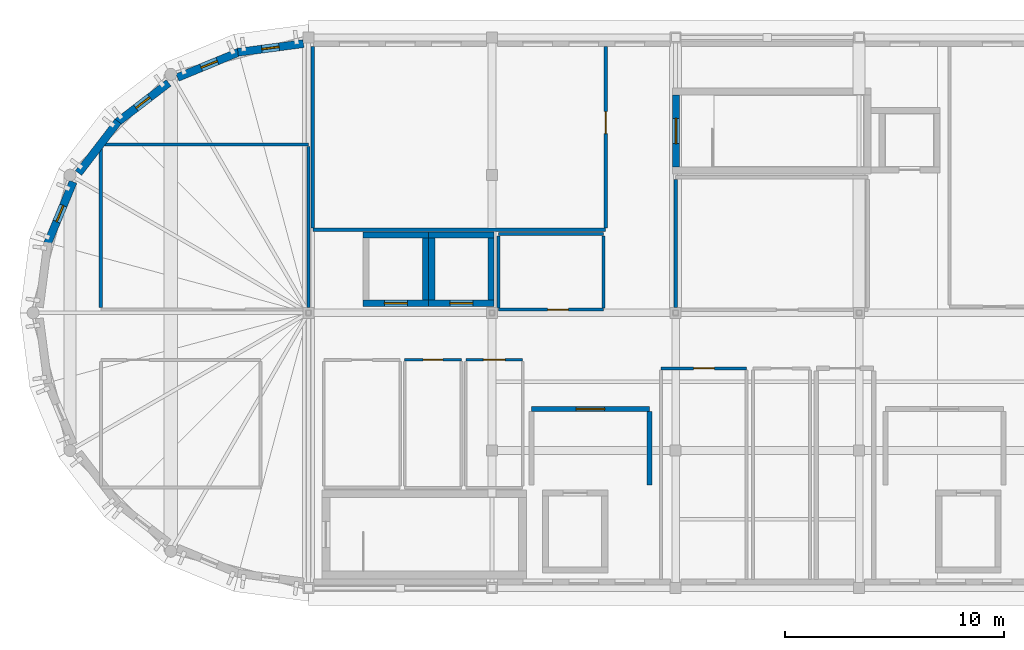
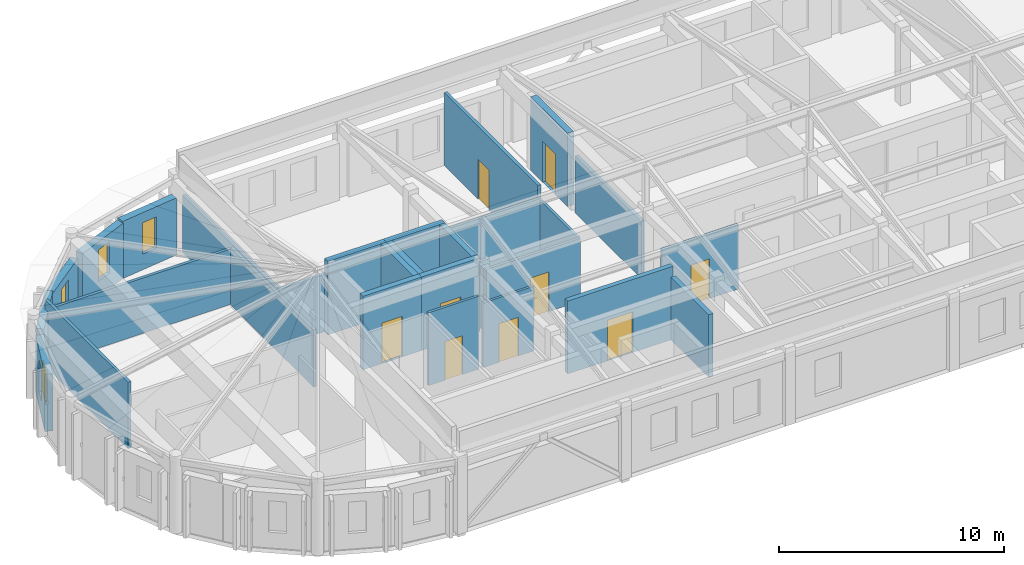
# One storey, part 7 of 11: 29 walls, 9 doors, 4 windows, 13 openings.
"""IFC4 building model written with IfcOpenShell, lengths in metres."""

from ifc_helpers import new_model, si_unit, direction, frame, frame_2d, origin, place, context, subcontext, project, spatial, rectangle, extrude, material, layer, layer_set, type_object, element, fill, save


model = new_model("IFC4")

# Units and contexts
model_context = context("Model", 3, precision=1e-05, world=origin(), true_north=direction((0.0, 1.0)))
body_context = subcontext(model_context, "Body", "Model", "MODEL_VIEW")
ifc_project = project(units=[si_unit("LENGTHUNIT", "METRE"), si_unit("AREAUNIT", "SQUARE_METRE"), si_unit("VOLUMEUNIT", "CUBIC_METRE"), si_unit("PLANEANGLEUNIT", "RADIAN"), si_unit("MASSUNIT", "GRAM", prefix="KILO")], contexts=[model_context])

# Site, building, storey
site_placement = place(None, origin())
site = spatial("IfcSite", under=ifc_project, at=site_placement, CompositionType="ELEMENT")
building_placement = place(site_placement, origin())
building = spatial("IfcBuilding", under=site, at=building_placement, Name="Tarnavel Promenade Courthouse", CompositionType="ELEMENT")
storey_placement = place(building_placement, frame((0.0, 0.0, 35.39990234375)))
storey = spatial("IfcBuildingStorey", under=building, at=storey_placement, Name="L09", CompositionType="ELEMENT", Elevation=35.39990234375)

# Walls
ifc_material_1 = material(Name="Acoustic Insulated Gypsum Stud Partition", Category="gypsum")
ifc_layer_1 = layer(ifc_material_1, 0.1650390625)
ifc_layer_set_1 = layer_set([ifc_layer_1], Name="Acoustic Insulated Gypsum Stud Partition")
wall_type_1 = type_object("IfcWallType", Name="Acoustic Insulated Gypsum Stud Partition WL-CHM-165 (165 mm)", PredefinedType="PARTITIONING", material=ifc_layer_set_1)
wall_1_placement = place(storey_placement, frame((72.39990234375, 95.60009765625, 0.0), z_axis=(0.0, 0.0, 1.0), x_axis=(-1.0, 0.0, 0.0)))
element("IfcWall", 1, at=wall_1_placement, inside=storey, type_object=wall_type_1, Name="L09 Supreme Plenary Deliberation Room Partition 1019", PredefinedType="PARTITIONING", context=body_context, shape_type="SweptSolid", body=[
    extrude(rectangle(XDim=13.39990234375, YDim=0.1650390625, at=frame_2d((6.699951171875, 0.0))), origin(), (0.0, 0.0, 1.0), 3.09521484375),
])
wall_2_placement = place(storey_placement, frame((59.0, 95.6923828125, 0.0), z_axis=(0.0, 0.0, 1.0), x_axis=(0.0, 1.0, 0.0)))
element("IfcWall", 2, at=wall_2_placement, inside=storey, type_object=wall_type_1, Name="L09 Supreme Plenary Deliberation Room Partition 1020", PredefinedType="PARTITIONING", context=body_context, shape_type="SweptSolid", body=[
    extrude(rectangle(XDim=8.3037109375, YDim=0.1650390625, at=frame_2d((4.15185546875, 0.0))), origin(), (0.0, 0.0, 1.0), 3.09521484375),
])

# Wall, opening, door
wall_3_placement = place(storey_placement, frame((72.39990234375, 103.99609375, 0.0), z_axis=(0.0, 0.0, 1.0), x_axis=(0.0, -1.0, 0.0)))
wall_3 = element("IfcWall", 3, at=wall_3_placement, inside=storey, type_object=wall_type_1, Name="L09 Supreme Plenary Deliberation Room Partition 1021", PredefinedType="PARTITIONING", context=body_context, shape_type="SweptSolid", body=[
    extrude(rectangle(XDim=8.3037109375, YDim=0.1650390625, at=frame_2d((4.15185546875, 0.0))), origin(), (0.0, 0.0, 1.0), 3.9501953125),
])
opening_1_placement = place(wall_3_placement, frame((2.991455078125, 0.0, 0.0)))
opening_1 = element("IfcOpeningElement", 4, at=opening_1_placement, cuts=wall_3, Name="Opening ID-03", PredefinedType="OPENING", context=body_context, shape_type="SweptSolid", body=[
    extrude(rectangle(XDim=1.0, YDim=2.14990234375, at=frame_2d((0.5, 1.074951171875))), frame((0.0, 0.092529296875, 0.0), z_axis=(0.0, -1.0, 0.0), x_axis=(1.0, 0.0, 0.0)), (0.0, 0.0, 1.0), 0.18505859375),
])
ifc_material_2 = material(Name="Acoustic Solid-Core Oak Jury Room Door")
door_type_1 = type_object("IfcDoorType", Name="Acoustic Solid-Core Oak Jury Room Door (DR-JRY-1000x2150)", OperationType="NOTDEFINED", PredefinedType="DOOR", material=ifc_material_2)
door_1_placement = place(opening_1_placement, origin())
door_1 = element("IfcDoor", 5, at=door_1_placement, inside=storey, type_object=door_type_1, Name="L09 Supreme Plenary Deliberation Room Door 0290", OperationType="SINGLE_SWING_LEFT", OverallHeight=2.14990234375, OverallWidth=1.0, PredefinedType="DOOR", context=body_context, shape_type="SweptSolid", body=[
    extrude(rectangle(XDim=1.0, YDim=2.14990234375, at=frame_2d((0.5, 1.074951171875))), frame((0.0, 0.02490234375, 0.0), z_axis=(0.0, -1.0, 0.0), x_axis=(1.0, 0.0, 0.0)), (0.0, 0.0, 1.0), 0.050048828125),
])
fill(opening_1, door_1)

# Walls
wall_4_placement = place(storey_placement, frame((75.60009765625, 92.04248046875, 0.0), z_axis=(0.0, 0.0, 1.0), x_axis=(0.0, 1.0, 0.0)))
element("IfcWall", 6, at=wall_4_placement, inside=storey, type_object=wall_type_1, Name="L09 L09 Judicial Panel Deliberation Salon Partition 1028", PredefinedType="PARTITIONING", context=body_context, shape_type="SweptSolid", body=[
    extrude(rectangle(XDim=5.864990234375, YDim=0.1650390625, at=frame_2d((2.9326171875, 0.0))), origin(), (0.0, 0.0, 1.0), 3.09521484375),
])
ifc_layer_2 = layer(ifc_material_1, 0.14990234375)
ifc_layer_set_2 = layer_set([ifc_layer_2], Name="Acoustic Insulated Gypsum Stud Partition")
wall_type_2 = type_object("IfcWallType", Name="Acoustic Insulated Gypsum Stud Partition WL-LIB-150 (150 mm)", PredefinedType="PARTITIONING", material=ifc_layer_set_2)
wall_5_placement = place(storey_placement, frame((49.300048828125, 99.5, 0.0), z_axis=(0.0, 0.0, 1.0), x_axis=(1.0, 0.0, 0.0)))
element("IfcWall", 7, at=wall_5_placement, inside=storey, type_object=wall_type_2, Name="L09 L09 West Drum Rotunda Library North Partition 1045", PredefinedType="PARTITIONING", context=body_context, shape_type="SweptSolid", body=[
    extrude(rectangle(XDim=9.5, YDim=0.14990234375, at=frame_2d((4.75, 0.0))), origin(), (0.0, 0.0, 1.0), 2.9951171875),
])
wall_6_placement = place(storey_placement, frame((49.300048828125, 92.034912109375, 0.0), z_axis=(0.0, 0.0, 1.0), x_axis=(0.0, 1.0, 0.0)))
element("IfcWall", 8, at=wall_6_placement, inside=storey, type_object=wall_type_2, Name="L09 L09 West Drum Rotunda Library North Partition 1047", PredefinedType="PARTITIONING", context=body_context, shape_type="SweptSolid", body=[
    extrude(rectangle(XDim=7.380126953125, YDim=0.14990234375, at=frame_2d((3.68994140625, 0.0))), origin(), (0.0, 0.0, 1.0), 3.59521484375),
])
wall_7_placement = place(storey_placement, frame((58.800048828125, 99.4150390625, 0.0), z_axis=(0.0, 0.0, 1.0), x_axis=(0.0, -1.0, 0.0)))
element("IfcWall", 9, at=wall_7_placement, inside=storey, type_object=wall_type_2, Name="L09 L09 West Drum Rotunda Library North Partition 1048", PredefinedType="PARTITIONING", context=body_context, shape_type="SweptSolid", body=[
    extrude(rectangle(XDim=7.380126953125, YDim=0.14990234375, at=frame_2d((3.68994140625, 0.0))), origin(), (0.0, 0.0, 1.0), 3.09521484375),
])
ifc_material_3 = material(Name="Concrete C40/50", Category="concrete")
ifc_layer_3 = layer(ifc_material_3, 0.280029296875)
ifc_layer_set_3 = layer_set([ifc_layer_3], Name="Concrete C40/50")
wall_type_3 = type_object("IfcWallType", Name="Concrete C40/50 WL-SHR-280 (280 mm)", PredefinedType="SHEAR", material=ifc_layer_set_3)
wall_8_placement = place(storey_placement, frame((61.300048828125, 95.360107421875, 0.0), z_axis=(0.0, 0.0, 1.0), x_axis=(1.0, 0.0, 0.0)))
element("IfcWall", 10, at=wall_8_placement, inside=storey, type_object=wall_type_3, Name="L09 L-PUB1 Lift Shaft North Wall", PredefinedType="SHEAR", context=body_context, shape_type="SweptSolid", body=[
    extrude(rectangle(XDim=3.0, YDim=0.280029296875, at=frame_2d((1.5, 0.0))), origin(), (0.0, 0.0, 1.0), 3.97998046875),
])

# Wall, opening, door
wall_9_placement = place(storey_placement, frame((64.300048828125, 92.239990234375, 0.0), z_axis=(0.0, 0.0, 1.0), x_axis=(-1.0, 0.0, 0.0)))
wall_9 = element("IfcWall", 11, at=wall_9_placement, inside=storey, type_object=wall_type_3, Name="L09 L-PUB1 Lift Shaft South Wall", PredefinedType="SHEAR", context=body_context, shape_type="SweptSolid", body=[
    extrude(rectangle(XDim=3.0, YDim=0.280029296875, at=frame_2d((1.5, 0.0))), origin(), (0.0, 0.0, 1.0), 3.97998046875),
])
opening_2_placement = place(wall_9_placement, frame((0.97509765625, 0.0, 0.0)))
opening_2 = element("IfcOpeningElement", 12, at=opening_2_placement, cuts=wall_9, Name="Opening LD-02", PredefinedType="OPENING", context=body_context, shape_type="SweptSolid", body=[
    extrude(rectangle(XDim=1.050048828125, YDim=2.199951171875, at=frame_2d((0.52490234375, 1.10009765625))), frame((0.0, 0.14990234375, 0.0), z_axis=(0.0, -1.0, 0.0), x_axis=(1.0, 0.0, 0.0)), (0.0, 0.0, 1.0), 0.300048828125),
])
ifc_material_4 = material(Name="Brushed Bronze Passenger Lift Landing Sliding Door")
door_type_2 = type_object("IfcDoorType", Name="Brushed Bronze Passenger Lift Landing Sliding Door (LD-PUB-1050x2200)", OperationType="NOTDEFINED", PredefinedType="DOOR", material=ifc_material_4)
door_2_placement = place(opening_2_placement, origin())
door_2 = element("IfcDoor", 13, at=door_2_placement, inside=storey, type_object=door_type_2, Name="L09 L-PUB1 Lift Sliding Landing Door", OperationType="DOUBLE_DOOR_SLIDING", OverallHeight=2.199951171875, OverallWidth=1.050048828125, PredefinedType="DOOR", context=body_context, shape_type="SweptSolid", body=[
    extrude(rectangle(XDim=1.050048828125, YDim=2.199951171875, at=frame_2d((0.52490234375, 1.10009765625))), frame((0.0, 0.02490234375, 0.0), z_axis=(0.0, -1.0, 0.0), x_axis=(1.0, 0.0, 0.0)), (0.0, 0.0, 1.0), 0.050048828125),
])
fill(opening_2, door_2)

# Walls
wall_10_placement = place(storey_placement, frame((64.159912109375, 95.219970703125, 0.0), z_axis=(0.0, 0.0, 1.0), x_axis=(0.0, -1.0, 0.0)))
element("IfcWall", 14, at=wall_10_placement, inside=storey, type_object=wall_type_3, Name="L09 L-PUB1 Lift Shaft East Wall", PredefinedType="SHEAR", context=body_context, shape_type="SweptSolid", body=[
    extrude(rectangle(XDim=2.840087890625, YDim=0.280029296875, at=frame_2d((1.419921875, 0.0))), origin(), (0.0, 0.0, 1.0), 3.97998046875),
])
wall_11_placement = place(storey_placement, frame((64.300048828125, 95.360107421875, 0.0), z_axis=(0.0, 0.0, 1.0), x_axis=(1.0, 0.0, 0.0)))
element("IfcWall", 15, at=wall_11_placement, inside=storey, type_object=wall_type_3, Name="L09 L-PUB2 Lift Shaft North Wall", PredefinedType="SHEAR", context=body_context, shape_type="SweptSolid", body=[
    extrude(rectangle(XDim=3.0, YDim=0.280029296875, at=frame_2d((1.5, 0.0))), origin(), (0.0, 0.0, 1.0), 3.97998046875),
])

# Wall, opening, door
wall_12_placement = place(storey_placement, frame((67.300048828125, 92.239990234375, 0.0), z_axis=(0.0, 0.0, 1.0), x_axis=(-1.0, 0.0, 0.0)))
wall_12 = element("IfcWall", 16, at=wall_12_placement, inside=storey, type_object=wall_type_3, Name="L09 L-PUB2 Lift Shaft South Wall", PredefinedType="SHEAR", context=body_context, shape_type="SweptSolid", body=[
    extrude(rectangle(XDim=3.0, YDim=0.280029296875, at=frame_2d((1.5, 0.0))), origin(), (0.0, 0.0, 1.0), 3.97998046875),
])
opening_3_placement = place(wall_12_placement, frame((0.97509765625, 0.0, 0.0)))
opening_3 = element("IfcOpeningElement", 17, at=opening_3_placement, cuts=wall_12, Name="Opening LD-02", PredefinedType="OPENING", context=body_context, shape_type="SweptSolid", body=[
    extrude(rectangle(XDim=1.050048828125, YDim=2.199951171875, at=frame_2d((0.52490234375, 1.10009765625))), frame((0.0, 0.14990234375, 0.0), z_axis=(0.0, -1.0, 0.0), x_axis=(1.0, 0.0, 0.0)), (0.0, 0.0, 1.0), 0.300048828125),
])
door_3_placement = place(opening_3_placement, origin())
door_3 = element("IfcDoor", 18, at=door_3_placement, inside=storey, type_object=door_type_2, Name="L09 L-PUB2 Lift Sliding Landing Door", OperationType="DOUBLE_DOOR_SLIDING", OverallHeight=2.199951171875, OverallWidth=1.050048828125, PredefinedType="DOOR", context=body_context, shape_type="SweptSolid", body=[
    extrude(rectangle(XDim=1.050048828125, YDim=2.199951171875, at=frame_2d((0.52490234375, 1.10009765625))), frame((0.0, 0.02490234375, 0.0), z_axis=(0.0, -1.0, 0.0), x_axis=(1.0, 0.0, 0.0)), (0.0, 0.0, 1.0), 0.050048828125),
])
fill(opening_3, door_3)

# Walls
for number, where, z_axis, x_axis, name in (
    (19, (64.43994140625, 92.3798828125, 0.0), (0.0, 0.0, 1.0), (0.0, 1.0, 0.0), "L09 L-PUB2 Lift Shaft West Wall"),
    (20, (67.159912109375, 95.219970703125, 0.0), (0.0, 0.0, 1.0), (0.0, -1.0, 0.0), "L09 L-PUB2 Lift Shaft East Wall"),
):
    element("IfcWall", number, at=place(storey_placement, frame(where, z_axis=z_axis, x_axis=x_axis)), inside=storey, type_object=wall_type_3, Name=name, PredefinedType="SHEAR", context=body_context, shape_type="SweptSolid", body=[
        extrude(rectangle(XDim=2.840087890625, YDim=0.280029296875, at=frame_2d((1.419921875, 0.0))), origin(), (0.0, 0.0, 1.0), 3.97998046875),
    ])

# Wall, opening, door
ifc_layer_4 = layer(ifc_material_3, 0.320068359375)
ifc_layer_set_4 = layer_set([ifc_layer_4], Name="Concrete C40/50")
wall_type_4 = type_object("IfcWallType", Name="Concrete C40/50 WL-SHR-320 (320 mm)", PredefinedType="SHEAR", material=ifc_layer_set_4)
wall_13_placement = place(storey_placement, frame((75.6201171875, 98.47998046875, 0.0), z_axis=(0.0, 0.0, 1.0), x_axis=(0.0, 1.0, 0.0)))
wall_13 = element("IfcWall", 21, at=wall_13_placement, inside=storey, type_object=wall_type_4, Name="L09 ST-03 Shear Core West Landing Wall", PredefinedType="SHEAR", context=body_context, shape_type="SweptSolid", body=[
    extrude(rectangle(XDim=3.280029296875, YDim=0.320068359375, at=frame_2d((1.64013671875, 0.0))), origin(), (0.0, 0.0, 1.0), 3.97998046875),
])
opening_4_placement = place(wall_13_placement, frame((1.06494140625, 0.0, 0.0)))
opening_4 = element("IfcOpeningElement", 22, at=opening_4_placement, cuts=wall_13, Name="Opening FD-01", PredefinedType="OPENING", context=body_context, shape_type="SweptSolid", body=[
    extrude(rectangle(XDim=1.14990234375, YDim=2.199951171875, at=frame_2d((0.574951171875, 1.10009765625))), frame((0.0, 0.169921875, 0.0), z_axis=(0.0, -1.0, 0.0), x_axis=(1.0, 0.0, 0.0)), (0.0, 0.0, 1.0), 0.340087890625),
])
ifc_material_5 = material(Name="Steel Fire-Rated Stair Core Door", Category="steel")
door_type_3 = type_object("IfcDoorType", Name="Steel Fire-Rated Stair Core Door (DR-ST-1150x2200)", OperationType="NOTDEFINED", PredefinedType="DOOR", material=ifc_material_5)
door_4_placement = place(opening_4_placement, origin())
door_4 = element("IfcDoor", 23, at=door_4_placement, inside=storey, type_object=door_type_3, Name="L09 ST-03 Protected Exit Stair Door", OperationType="SINGLE_SWING_LEFT", OverallHeight=2.199951171875, OverallWidth=1.14990234375, PredefinedType="DOOR", context=body_context, shape_type="SweptSolid", body=[
    extrude(rectangle(XDim=1.14990234375, YDim=2.199951171875, at=frame_2d((0.574951171875, 1.10009765625))), frame((0.0, 0.02490234375, 0.0), z_axis=(0.0, -1.0, 0.0), x_axis=(1.0, 0.0, 0.0)), (0.0, 0.0, 1.0), 0.050048828125),
])
fill(opening_4, door_4)

ifc_material_6 = material(Name="Concrete Masonry Fire Compartment Wall", Category="masonry")
ifc_layer_5 = layer(ifc_material_6, 0.22998046875)
ifc_layer_set_5 = layer_set([ifc_layer_5], Name="Concrete Masonry Fire Compartment Wall")
wall_type_5 = type_object("IfcWallType", Name="Concrete Masonry Fire Compartment Wall WL-CMP-230 (230 mm)", PredefinedType="STANDARD", material=ifc_layer_set_5)
wall_14_placement = place(storey_placement, frame((69.0, 87.39990234375, 0.0), z_axis=(0.0, 0.0, 1.0), x_axis=(1.0, 0.0, 0.0)))
wall_14 = element("IfcWall", 24, at=wall_14_placement, inside=storey, type_object=wall_type_5, Name="L09 Firefighting Lobby L-FF1 Partition 0989", PredefinedType="STANDARD", context=body_context, shape_type="SweptSolid", body=[
    extrude(rectangle(XDim=5.39990234375, YDim=0.22998046875, at=frame_2d((2.699951171875, 0.0))), origin(), (0.0, 0.0, 1.0), 3.9501953125),
])
opening_5_placement = place(wall_14_placement, frame((2.050048828125, 0.0, 0.0)))
opening_5 = element("IfcOpeningElement", 25, at=opening_5_placement, cuts=wall_14, Name="Opening FD-03", PredefinedType="OPENING", context=body_context, shape_type="SweptSolid", body=[
    extrude(rectangle(XDim=1.300048828125, YDim=2.199951171875, at=frame_2d((0.64990234375, 1.10009765625))), frame((0.0, 0.125, 0.0), z_axis=(0.0, -1.0, 0.0), x_axis=(1.0, 0.0, 0.0)), (0.0, 0.0, 1.0), 0.25),
])
ifc_material_7 = material(Name="Smoke-Sealed Firefighting Lobby Fire Door")
door_type_4 = type_object("IfcDoorType", Name="Smoke-Sealed Firefighting Lobby Fire Door (DR-FFL-1300x2200)", OperationType="NOTDEFINED", PredefinedType="DOOR", material=ifc_material_7)
door_5_placement = place(opening_5_placement, origin())
door_5 = element("IfcDoor", 26, at=door_5_placement, inside=storey, type_object=door_type_4, Name="L09 Firefighting Lobby L-FF1 Door 0282", OperationType="SINGLE_SWING_LEFT", OverallHeight=2.199951171875, OverallWidth=1.300048828125, PredefinedType="DOOR", context=body_context, shape_type="SweptSolid", body=[
    extrude(rectangle(XDim=1.300048828125, YDim=2.199951171875, at=frame_2d((0.64990234375, 1.10009765625))), frame((0.0, 0.02490234375, 0.0), z_axis=(0.0, -1.0, 0.0), x_axis=(1.0, 0.0, 0.0)), (0.0, 0.0, 1.0), 0.050048828125),
])
fill(opening_5, door_5)

# Walls
wall_15_placement = place(storey_placement, frame((74.39990234375, 87.27490234375, 0.0), z_axis=(0.0, 0.0, 1.0), x_axis=(0.0, -1.0, 0.0)))
element("IfcWall", 27, at=wall_15_placement, inside=storey, type_object=wall_type_5, Name="L09 Firefighting Lobby L-FF1 Partition 0991", PredefinedType="STANDARD", context=body_context, shape_type="SweptSolid", body=[
    extrude(rectangle(XDim=3.349853515625, YDim=0.22998046875, at=frame_2d((1.6748046875, 0.0))), origin(), (0.0, 0.0, 1.0), 3.39501953125),
])
ifc_material_8 = material(Name="Metal-Stud Acoustic Gypsum Partition", Category="gypsum")
ifc_layer_6 = layer(ifc_material_8, 0.135009765625)
ifc_layer_set_6 = layer_set([ifc_layer_6], Name="Metal-Stud Acoustic Gypsum Partition")
wall_type_6 = type_object("IfcWallType", Name="Metal-Stud Acoustic Gypsum Partition WL-OFF-135 (135 mm)", PredefinedType="PARTITIONING", material=ifc_layer_set_6)
wall_16_placement = place(storey_placement, frame((67.5, 95.39990234375, 0.0), z_axis=(0.0, 0.0, 1.0), x_axis=(1.0, 0.0, 0.0)))
element("IfcWall", 28, at=wall_16_placement, inside=storey, type_object=wall_type_6, Name="L09 L09 Judicial Case Clerks' Room Partition 1022", PredefinedType="PARTITIONING", context=body_context, shape_type="SweptSolid", body=[
    extrude(rectangle(XDim=4.800048828125, YDim=0.135009765625, at=frame_2d((2.39990234375, 0.0))), origin(), (0.0, 0.0, 1.0), 3.4951171875),
])

# Wall, opening, door
wall_17_placement = place(storey_placement, frame((72.300048828125, 91.949951171875, 0.0), z_axis=(0.0, 0.0, 1.0), x_axis=(-1.0, 0.0, 0.0)))
wall_17 = element("IfcWall", 29, at=wall_17_placement, inside=storey, type_object=wall_type_6, Name="L09 L09 Judicial Case Clerks' Room Partition 1023", PredefinedType="PARTITIONING", context=body_context, shape_type="SweptSolid", body=[
    extrude(rectangle(XDim=4.800048828125, YDim=0.135009765625, at=frame_2d((2.39990234375, 0.0))), origin(), (0.0, 0.0, 1.0), 3.39501953125),
])
opening_6_placement = place(wall_17_placement, frame((1.610107421875, 0.0, 0.0)))
opening_6 = element("IfcOpeningElement", 30, at=opening_6_placement, cuts=wall_17, Name="Opening ID-06", PredefinedType="OPENING", context=body_context, shape_type="SweptSolid", body=[
    extrude(rectangle(XDim=0.949951171875, YDim=2.14990234375, at=frame_2d((0.47509765625, 1.074951171875))), frame((0.0, 0.077392578125, 0.0), z_axis=(0.0, -1.0, 0.0), x_axis=(1.0, 0.0, 0.0)), (0.0, 0.0, 1.0), 0.155029296875),
])
ifc_material_9 = material(Name="Acoustic Timber Veneer Office Door", Category="wood")
door_type_5 = type_object("IfcDoorType", Name="Acoustic Timber Veneer Office Door (DR-OFF-0950x2150)", OperationType="NOTDEFINED", PredefinedType="DOOR", material=ifc_material_9)
door_6_placement = place(opening_6_placement, origin())
door_6 = element("IfcDoor", 31, at=door_6_placement, inside=storey, type_object=door_type_5, Name="L09 L09 Judicial Case Clerks' Room Door 0291", OperationType="SINGLE_SWING_RIGHT", OverallHeight=2.14990234375, OverallWidth=0.949951171875, PredefinedType="DOOR", context=body_context, shape_type="SweptSolid", body=[
    extrude(rectangle(XDim=0.949951171875, YDim=2.14990234375, at=frame_2d((0.47509765625, 1.074951171875))), frame((0.0, 0.02490234375, 0.0), z_axis=(0.0, -1.0, 0.0), x_axis=(1.0, 0.0, 0.0)), (0.0, 0.0, 1.0), 0.050048828125),
])
fill(opening_6, door_6)

# Walls
for number, where, z_axis, x_axis, name in (
    (32, (67.5, 92.027587890625, 0.0), (0.0, 0.0, 1.0), (0.0, 1.0, 0.0), "L09 L09 Judicial Case Clerks' Room Partition 1024"),
    (33, (72.300048828125, 95.322509765625, 0.0), (0.0, 0.0, 1.0), (0.0, -1.0, 0.0), "L09 L09 Judicial Case Clerks' Room Partition 1025"),
):
    element("IfcWall", number, at=place(storey_placement, frame(where, z_axis=z_axis, x_axis=x_axis)), inside=storey, type_object=wall_type_6, Name=name, PredefinedType="PARTITIONING", context=body_context, shape_type="SweptSolid", body=[
        extrude(rectangle(XDim=3.294921875, YDim=0.135009765625, at=frame_2d((1.6474609375, 0.0))), origin(), (0.0, 0.0, 1.0), 3.39501953125),
    ])

# Wall, opening, door
wall_18_placement = place(storey_placement, frame((74.93994140625, 89.260009765625, 0.0), z_axis=(0.0, 0.0, 1.0), x_axis=(1.0, 0.0, 0.0)))
wall_18 = element("IfcWall", 34, at=wall_18_placement, inside=storey, type_object=wall_type_6, Name="L09 Judges' Dining and Collegium Banquet Hall Partition 1036", PredefinedType="PARTITIONING", context=body_context, shape_type="SweptSolid", body=[
    extrude(rectangle(XDim=3.9140625, YDim=0.135009765625, at=frame_2d((1.95703125, 0.0))), origin(), (0.0, 0.0, 1.0), 3.4951171875),
])
opening_7_placement = place(wall_18_placement, frame((1.48193359375, 0.0, 0.0)))
opening_7 = element("IfcOpeningElement", 35, at=opening_7_placement, cuts=wall_18, Name="Opening ID-06", PredefinedType="OPENING", context=body_context, shape_type="SweptSolid", body=[
    extrude(rectangle(XDim=0.949951171875, YDim=2.14990234375, at=frame_2d((0.47509765625, 1.074951171875))), frame((0.0, 0.077392578125, 0.0), z_axis=(0.0, -1.0, 0.0), x_axis=(1.0, 0.0, 0.0)), (0.0, 0.0, 1.0), 0.155029296875),
])
door_7_placement = place(opening_7_placement, origin())
door_7 = element("IfcDoor", 36, at=door_7_placement, inside=storey, type_object=door_type_5, Name="L09 Judges' Dining and Collegium Banquet Hall Door 0295", OperationType="SINGLE_SWING_RIGHT", OverallHeight=2.14990234375, OverallWidth=0.949951171875, PredefinedType="DOOR", context=body_context, shape_type="SweptSolid", body=[
    extrude(rectangle(XDim=0.949951171875, YDim=2.14990234375, at=frame_2d((0.47509765625, 1.074951171875))), frame((0.0, 0.02490234375, 0.0), z_axis=(0.0, -1.0, 0.0), x_axis=(1.0, 0.0, 0.0)), (0.0, 0.0, 1.0), 0.050048828125),
])
fill(opening_7, door_7)

ifc_material_10 = material(Name="Moisture-Resistant Tile-Backed Stud Partition", Category="gypsum")
ifc_layer_7 = layer(ifc_material_10, 0.125)
ifc_layer_set_7 = layer_set([ifc_layer_7], Name="Moisture-Resistant Tile-Backed Stud Partition")
wall_type_7 = type_object("IfcWallType", Name="Moisture-Resistant Tile-Backed Stud Partition WL-WET-125 (125 mm)", PredefinedType="PARTITIONING", material=ifc_layer_set_7)
wall_19_placement = place(storey_placement, frame((63.199951171875, 89.64990234375, 0.0), z_axis=(0.0, 0.0, 1.0), x_axis=(1.0, 0.0, 0.0)))
wall_19 = element("IfcWall", 37, at=wall_19_placement, inside=storey, type_object=wall_type_7, Name="L09 Public WC Partition 0995", PredefinedType="PARTITIONING", context=body_context, shape_type="SweptSolid", body=[
    extrude(rectangle(XDim=2.60009765625, YDim=0.125, at=frame_2d((1.300048828125, 0.0))), origin(), (0.0, 0.0, 1.0), 3.9501953125),
])
opening_8_placement = place(wall_19_placement, frame((0.85009765625, 0.0, 0.0)))
opening_8 = element("IfcOpeningElement", 38, at=opening_8_placement, cuts=wall_19, Name="Opening ID-08", PredefinedType="OPENING", context=body_context, shape_type="SweptSolid", body=[
    extrude(rectangle(XDim=0.89990234375, YDim=2.10009765625, at=frame_2d((0.449951171875, 1.050048828125))), frame((0.0, 0.072509765625, 0.0), z_axis=(0.0, -1.0, 0.0), x_axis=(1.0, 0.0, 0.0)), (0.0, 0.0, 1.0), 0.14501953125),
])
ifc_material_11 = material(Name="Moisture-Resistant Laminate Restroom Door")
door_type_6 = type_object("IfcDoorType", Name="Moisture-Resistant Laminate Restroom Door (DR-WC-0900x2100)", OperationType="NOTDEFINED", PredefinedType="DOOR", material=ifc_material_11)
door_8_placement = place(opening_8_placement, origin())
door_8 = element("IfcDoor", 39, at=door_8_placement, inside=storey, type_object=door_type_6, Name="L09 Public WC Door 0284", OperationType="SINGLE_SWING_LEFT", OverallHeight=2.10009765625, OverallWidth=0.89990234375, PredefinedType="DOOR", context=body_context, shape_type="SweptSolid", body=[
    extrude(rectangle(XDim=0.89990234375, YDim=2.10009765625, at=frame_2d((0.449951171875, 1.050048828125))), frame((0.0, 0.02490234375, 0.0), z_axis=(0.0, -1.0, 0.0), x_axis=(1.0, 0.0, 0.0)), (0.0, 0.0, 1.0), 0.050048828125),
])
fill(opening_8, door_8)

wall_20_placement = place(storey_placement, frame((66.0, 89.64990234375, 0.0), z_axis=(0.0, 0.0, 1.0), x_axis=(1.0, 0.0, 0.0)))
wall_20 = element("IfcWall", 40, at=wall_20_placement, inside=storey, type_object=wall_type_7, Name="L09 Accessible WC Partition 0999", PredefinedType="PARTITIONING", context=body_context, shape_type="SweptSolid", body=[
    extrude(rectangle(XDim=2.60009765625, YDim=0.125, at=frame_2d((1.300048828125, 0.0))), origin(), (0.0, 0.0, 1.0), 3.4951171875),
])
opening_9_placement = place(wall_20_placement, frame((0.800048828125, 0.0, 0.0)))
opening_9 = element("IfcOpeningElement", 41, at=opening_9_placement, cuts=wall_20, Name="Opening ID-09", PredefinedType="OPENING", context=body_context, shape_type="SweptSolid", body=[
    extrude(rectangle(XDim=1.0, YDim=2.10009765625, at=frame_2d((0.5, 1.050048828125))), frame((0.0, 0.072509765625, 0.0), z_axis=(0.0, -1.0, 0.0), x_axis=(1.0, 0.0, 0.0)), (0.0, 0.0, 1.0), 0.14501953125),
])
ifc_material_12 = material(Name="Wide Accessible Restroom Outward Door")
door_type_7 = type_object("IfcDoorType", Name="Wide Accessible Restroom Outward Door (DR-AWC-1000x2100)", OperationType="NOTDEFINED", PredefinedType="DOOR", material=ifc_material_12)
door_9_placement = place(opening_9_placement, origin())
door_9 = element("IfcDoor", 42, at=door_9_placement, inside=storey, type_object=door_type_7, Name="L09 Accessible WC Door 0285", OperationType="SINGLE_SWING_RIGHT", OverallHeight=2.10009765625, OverallWidth=1.0, PredefinedType="DOOR", context=body_context, shape_type="SweptSolid", body=[
    extrude(rectangle(XDim=1.0, YDim=2.10009765625, at=frame_2d((0.5, 1.050048828125))), frame((0.0, 0.02490234375, 0.0), z_axis=(0.0, -1.0, 0.0), x_axis=(1.0, 0.0, 0.0)), (0.0, 0.0, 1.0), 0.050048828125),
])
fill(opening_9, door_9)

# Wall, opening, window
ifc_material_13 = material(Name="Patinated Copper-Bronze Insulated Drum Wall Assembly", Category="masonry")
ifc_layer_8 = layer(ifc_material_13, 0.364990234375)
ifc_layer_set_8 = layer_set([ifc_layer_8], Name="Patinated Copper-Bronze Insulated Drum Wall Assembly")
wall_type_8 = type_object("IfcWallType", Name="Patinated Copper-Bronze Insulated Drum Wall Assembly WL-DRUM-365 (365 mm)", PredefinedType="ELEMENTEDWALL", material=ifc_layer_set_8)
wall_21_placement = place(storey_placement, frame((58.57275390625, 104.117919921875, 0.0), z_axis=(0.0, 0.0, 1.0), x_axis=(-0.991449079029, -0.130494151946, 0.0)))
wall_21 = element("IfcWall", 43, at=wall_21_placement, inside=storey, type_object=wall_type_8, Name="L09 W Copper Drum Chord Wall 01 0248", PredefinedType="ELEMENTEDWALL", context=body_context, shape_type="SweptSolid", body=[
    extrude(rectangle(XDim=3.027099609375, YDim=0.364990234375, at=frame_2d((1.513671875, 0.0))), origin(), (0.0, 0.0, 1.0), 3.09521484375),
])
opening_10_placement = place(wall_21_placement, frame((1.127685546875, 0.0, 0.85009765625)))
opening_10 = element("IfcOpeningElement", 44, at=opening_10_placement, cuts=wall_21, Name="Opening W-09", PredefinedType="OPENING", context=body_context, shape_type="SweptSolid", body=[
    extrude(rectangle(XDim=0.800048828125, YDim=1.699951171875, at=frame_2d((0.39990234375, 0.85009765625))), frame((0.0, 0.1923828125, 0.0), z_axis=(0.0, -1.0, 0.0), x_axis=(1.0, 0.0, 0.0)), (0.0, 0.0, 1.0), 0.385009765625),
])
ifc_material_14 = material(Name="Triple Low-E Glazed Bronze-Clad Window Assembly")
window_type = type_object("IfcWindowType", Name="Triple-Glazed Bronze-Clad Timber-Aluminium WIN-DRM-0800x1700", PartitioningType="SINGLE_PANEL", PredefinedType="WINDOW", material=ifc_material_14)
window_1_placement = place(opening_10_placement, origin())
window_1 = element("IfcWindow", 45, at=window_1_placement, inside=storey, type_object=window_type, Name="L09 Exterior Window 0217", OverallHeight=1.699951171875, OverallWidth=0.800048828125, PartitioningType="SINGLE_PANEL", PredefinedType="WINDOW", context=body_context, shape_type="SweptSolid", body=[
    extrude(rectangle(XDim=0.800048828125, YDim=1.699951171875, at=frame_2d((0.39990234375, 0.85009765625))), frame((0.0, 0.030029296875, 0.0), z_axis=(0.0, -1.0, 0.0), x_axis=(1.0, 0.0, 0.0)), (0.0, 0.0, 1.0), 0.06005859375),
])
fill(opening_10, window_1)

wall_22_placement = place(storey_placement, frame((55.634521484375, 103.73974609375, 0.0), z_axis=(0.0, 0.0, 1.0), x_axis=(-0.923876904284, -0.382689777405, 0.0)))
wall_22 = element("IfcWall", 46, at=wall_22_placement, inside=storey, type_object=wall_type_8, Name="L09 W Copper Drum Chord Wall 02 0249", PredefinedType="ELEMENTEDWALL", context=body_context, shape_type="SweptSolid", body=[
    extrude(rectangle(XDim=3.062255859375, YDim=0.364990234375, at=frame_2d((1.53125, 0.0))), origin(), (0.0, 0.0, 1.0), 2.9951171875),
])
opening_11_placement = place(wall_22_placement, frame((1.087158203125, 0.0, 0.85009765625)))
opening_11 = element("IfcOpeningElement", 47, at=opening_11_placement, cuts=wall_22, Name="Opening W-09", PredefinedType="OPENING", context=body_context, shape_type="SweptSolid", body=[
    extrude(rectangle(XDim=0.800048828125, YDim=1.699951171875, at=frame_2d((0.39990234375, 0.85009765625))), frame((0.0, 0.1923828125, 0.0), z_axis=(0.0, -1.0, 0.0), x_axis=(1.0, 0.0, 0.0)), (0.0, 0.0, 1.0), 0.385009765625),
])
window_2_placement = place(opening_11_placement, origin())
window_2 = element("IfcWindow", 48, at=window_2_placement, inside=storey, type_object=window_type, Name="L09 Exterior Window 0218", OverallHeight=1.699951171875, OverallWidth=0.800048828125, PartitioningType="SINGLE_PANEL", PredefinedType="WINDOW", context=body_context, shape_type="SweptSolid", body=[
    extrude(rectangle(XDim=0.800048828125, YDim=1.699951171875, at=frame_2d((0.39990234375, 0.85009765625))), frame((0.0, 0.030029296875, 0.0), z_axis=(0.0, -1.0, 0.0), x_axis=(1.0, 0.0, 0.0)), (0.0, 0.0, 1.0), 0.06005859375),
])
fill(opening_11, window_2)

wall_23_placement = place(storey_placement, frame((52.40234375, 102.32177734375, 0.0), z_axis=(0.0, 0.0, 1.0), x_axis=(-0.793361877219, -0.608750303306, 0.0)))
wall_23 = element("IfcWall", 49, at=wall_23_placement, inside=storey, type_object=wall_type_8, Name="L09 W Copper Drum Chord Wall 03 0250", PredefinedType="ELEMENTEDWALL", context=body_context, shape_type="SweptSolid", body=[
    extrude(rectangle(XDim=2.97412109375, YDim=0.364990234375, at=frame_2d((1.487060546875, 0.0))), origin(), (0.0, 0.0, 1.0), 2.9951171875),
])
opening_12_placement = place(wall_23_placement, frame((1.087158203125, 0.0, 0.85009765625)))
opening_12 = element("IfcOpeningElement", 50, at=opening_12_placement, cuts=wall_23, Name="Opening W-09", PredefinedType="OPENING", context=body_context, shape_type="SweptSolid", body=[
    extrude(rectangle(XDim=0.800048828125, YDim=1.699951171875, at=frame_2d((0.39990234375, 0.85009765625))), frame((0.0, 0.1923828125, 0.0), z_axis=(0.0, -1.0, 0.0), x_axis=(1.0, 0.0, 0.0)), (0.0, 0.0, 1.0), 0.385009765625),
])
window_3_placement = place(opening_12_placement, origin())
window_3 = element("IfcWindow", 51, at=window_3_placement, inside=storey, type_object=window_type, Name="L09 Exterior Window 0219", OverallHeight=1.699951171875, OverallWidth=0.800048828125, PartitioningType="SINGLE_PANEL", PredefinedType="WINDOW", context=body_context, shape_type="SweptSolid", body=[
    extrude(rectangle(XDim=0.800048828125, YDim=1.699951171875, at=frame_2d((0.39990234375, 0.85009765625))), frame((0.0, 0.030029296875, 0.0), z_axis=(0.0, -1.0, 0.0), x_axis=(1.0, 0.0, 0.0)), (0.0, 0.0, 1.0), 0.06005859375),
])
fill(opening_12, window_3)

# Wall
wall_24_placement = place(storey_placement, frame((50.0888671875, 100.557373046875, 0.0), z_axis=(0.0, 0.0, 1.0), x_axis=(-0.608750303306, -0.793361877219, 0.0)))
element("IfcWall", 52, at=wall_24_placement, inside=storey, type_object=wall_type_8, Name="L09 W Copper Drum Chord Wall 04 0251", PredefinedType="ELEMENTEDWALL", context=body_context, shape_type="SweptSolid", body=[
    extrude(rectangle(XDim=2.97412109375, YDim=0.364990234375, at=frame_2d((1.487060546875, 0.0))), origin(), (0.0, 0.0, 1.0), 3.09521484375),
])

# Wall, opening, window
wall_25_placement = place(storey_placement, frame((48.0322265625, 97.794677734375, 0.0), z_axis=(0.0, 0.0, 1.0), x_axis=(-0.382689777405, -0.923876904284, 0.0)))
wall_25 = element("IfcWall", 53, at=wall_25_placement, inside=storey, type_object=wall_type_8, Name="L09 W Copper Drum Chord Wall 05 0252", PredefinedType="ELEMENTEDWALL", context=body_context, shape_type="SweptSolid", body=[
    extrude(rectangle(XDim=3.062255859375, YDim=0.364990234375, at=frame_2d((1.53125, 0.0))), origin(), (0.0, 0.0, 1.0), 3.09521484375),
])
opening_13_placement = place(wall_25_placement, frame((1.175048828125, 0.0, 0.85009765625)))
opening_13 = element("IfcOpeningElement", 54, at=opening_13_placement, cuts=wall_25, Name="Opening W-09", PredefinedType="OPENING", context=body_context, shape_type="SweptSolid", body=[
    extrude(rectangle(XDim=0.800048828125, YDim=1.699951171875, at=frame_2d((0.39990234375, 0.85009765625))), frame((0.0, 0.1923828125, 0.0), z_axis=(0.0, -1.0, 0.0), x_axis=(1.0, 0.0, 0.0)), (0.0, 0.0, 1.0), 0.385009765625),
])
window_4_placement = place(opening_13_placement, origin())
window_4 = element("IfcWindow", 55, at=window_4_placement, inside=storey, type_object=window_type, Name="L09 Exterior Window 0220", OverallHeight=1.699951171875, OverallWidth=0.800048828125, PartitioningType="SINGLE_PANEL", PredefinedType="WINDOW", context=body_context, shape_type="SweptSolid", body=[
    extrude(rectangle(XDim=0.800048828125, YDim=1.699951171875, at=frame_2d((0.39990234375, 0.85009765625))), frame((0.0, 0.030029296875, 0.0), z_axis=(0.0, -1.0, 0.0), x_axis=(1.0, 0.0, 0.0)), (0.0, 0.0, 1.0), 0.06005859375),
])
fill(opening_13, window_4)

save(model, "model.ifc")
